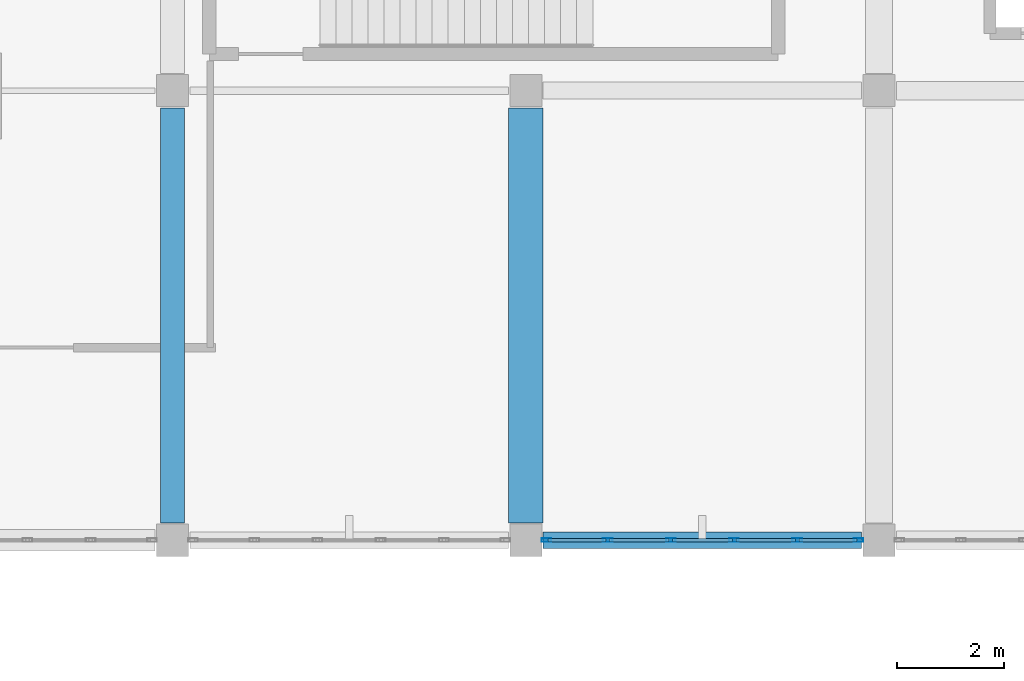
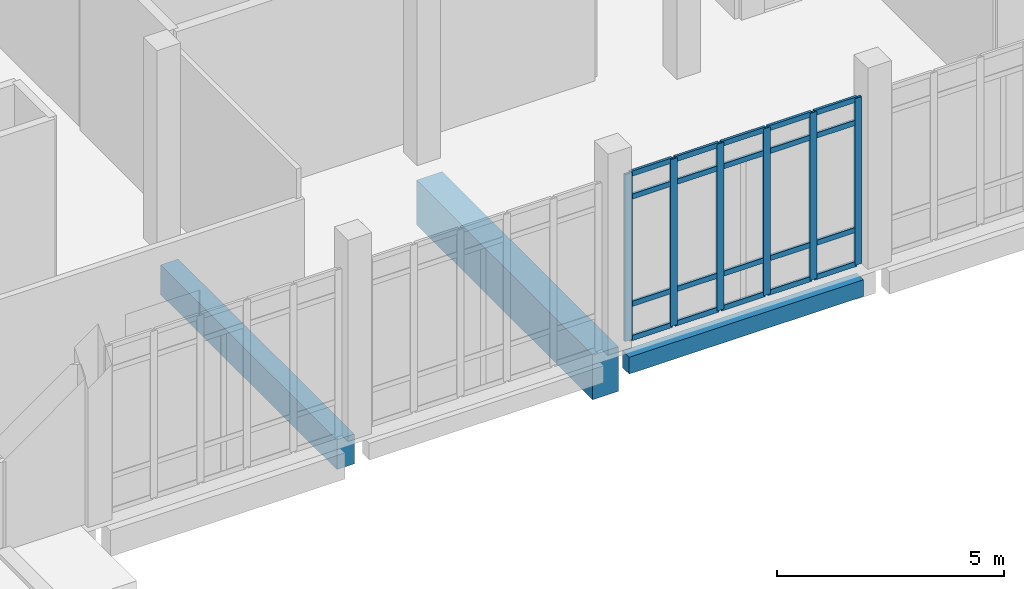
# One storey, part 64 of 110: 26 members, 3 beams, 1 element without a shape of its own.
"""IFC4 building model written with IfcOpenShell, lengths in metres."""

from ifc_helpers import new_model, si_unit, direction, frame, origin, origin_2d, place, context, subcontext, project, spatial, rectangle, hollow_rectangle, extrude, material, material_profile, profile_set, type_object, element, aggregate, save


model = new_model("IFC4")

# Units and contexts
model_context = context("Model", 3, precision=1e-05, world=origin(), true_north=direction((0.0, 1.0)))
body_context = subcontext(model_context, "Body", "Model", "MODEL_VIEW")
ifc_project = project(units=[si_unit("LENGTHUNIT", "METRE"), si_unit("AREAUNIT", "SQUARE_METRE"), si_unit("VOLUMEUNIT", "CUBIC_METRE"), si_unit("PLANEANGLEUNIT", "RADIAN"), si_unit("MASSUNIT", "GRAM", prefix="KILO")], contexts=[model_context])

# Site, building, storey
site_placement = place(None, origin())
site = spatial("IfcSite", under=ifc_project, at=site_placement, CompositionType="ELEMENT")
building_placement = place(site_placement, origin())
building = spatial("IfcBuilding", under=site, at=building_placement, Name="Kalluvel Institute of Natural Sciences", CompositionType="ELEMENT")
storey_placement = place(building_placement, origin())
storey = spatial("IfcBuildingStorey", under=building, at=storey_placement, Name="L00", CompositionType="ELEMENT", Elevation=0.0)

# Beams
ifc_material_1 = material(Name="Concrete M40", Category="concrete")
ifc_material_profile_1 = material_profile(ifc_material_1, rectangle(XDim=0.449951171875, YDim=0.800048828125, at=origin_2d()), Name="RCB 450x800")
ifc_profile_set_1 = profile_set([ifc_material_profile_1], Name="Concrete M40")
beam_type_1 = type_object("IfcBeamType", Name="BM-RC450x800", PredefinedType="BEAM", material=ifc_profile_set_1)
beam_1_placement = place(storey_placement, frame((149.0, 103.125, -0.760009765625), z_axis=(0.0, 1.0, 0.0), x_axis=(-1.0, 0.0, 0.0)))
element("IfcBeam", 1, at=beam_1_placement, inside=storey, type_object=beam_type_1, Name="L00 girder GIR-L00-NS-X1490-Y1028", PredefinedType="BEAM", context=body_context, shape_type="SweptSolid", body=[
    extrude(rectangle(XDim=0.449951171875, YDim=0.800048828125, at=origin_2d()), origin(), (0.0, 0.0, 1.0), 7.75),
])
ifc_material_2 = material(Name="Concrete M50", Category="concrete")
ifc_material_profile_2 = material_profile(ifc_material_2, rectangle(XDim=0.64990234375, YDim=1.199951171875, at=origin_2d()), Name="RCB 650x1200")
ifc_profile_set_2 = profile_set([ifc_material_profile_2], Name="Concrete M50")
beam_type_2 = type_object("IfcBeamType", Name="BM-RC650x1200", PredefinedType="BEAM", material=ifc_profile_set_2)
beam_2_placement = place(storey_placement, frame((155.60009765625, 103.125, -0.9599609375), z_axis=(0.0, 1.0, 0.0), x_axis=(-1.0, 0.0, 0.0)))
element("IfcBeam", 2, at=beam_2_placement, inside=storey, type_object=beam_type_2, Name="L00 girder GIR-L00-NS-X1556-Y1028", PredefinedType="BEAM", context=body_context, shape_type="SweptSolid", body=[
    extrude(rectangle(XDim=0.64990234375, YDim=1.199951171875, at=origin_2d()), origin(), (0.0, 0.0, 1.0), 7.75),
])

# Curtain wall, members
ifc_material_3 = material(Name="Aluminium AW-6063 T6", Category="aluminium")
curtain_wall_type = type_object("IfcCurtainWallType", Name="CW-CLN-54", PredefinedType="USERDEFINED", material=ifc_material_3)
curtain_wall_placement = place(storey_placement, origin())
curtain_wall = element("IfcCurtainWall", 3, at=curtain_wall_placement, inside=storey, type_object=curtain_wall_type, Name="L00 Gothic lancet curtain wall CWA-L00-X1560-Y1028", ObjectType="UNITISED LANCET FACADE", PredefinedType="USERDEFINED")
ifc_material_profile_3 = material_profile(ifc_material_3, hollow_rectangle(XDim=0.06494140625, YDim=0.179931640625, WallThickness=0.00439453125, at=origin_2d()), Name="CWM 65x180")
ifc_profile_set_3 = profile_set([ifc_material_profile_3], Name="Aluminium AW-6063 T6")
member_type_1 = type_object("IfcMemberType", Name="CWM-65x180", PredefinedType="MULLION", material=ifc_profile_set_3)
member_1_placement = place(storey_placement, frame((155.982421875, 102.800048828125, 0.0), z_axis=(0.0, 0.0, 1.0), x_axis=(0.0, 1.0, 0.0)))
member_1 = element("IfcMember", 4, at=member_1_placement, type_object=member_type_1, Name="CW-09 mullion 1", PredefinedType="MULLION", context=body_context, shape_type="SweptSolid", body=[
    extrude(hollow_rectangle(XDim=0.06494140625, YDim=0.179931640625, WallThickness=0.00439453125, at=origin_2d()), origin(), (0.0, 0.0, 1.0), 4.47998046875),
])
member_2_placement = place(storey_placement, frame((157.1298828125, 102.800048828125, 0.0), z_axis=(0.0, 0.0, 1.0), x_axis=(0.0, 1.0, 0.0)))
member_2 = element("IfcMember", 5, at=member_2_placement, type_object=member_type_1, Name="CW-09 mullion 2", PredefinedType="MULLION", context=body_context, shape_type="SweptSolid", body=[
    extrude(hollow_rectangle(XDim=0.06494140625, YDim=0.179931640625, WallThickness=0.00439453125, at=origin_2d()), origin(), (0.0, 0.0, 1.0), 4.47998046875),
])
member_3_placement = place(storey_placement, frame((158.31005859375, 102.800048828125, 0.0), z_axis=(0.0, 0.0, 1.0), x_axis=(0.0, 1.0, 0.0)))
member_3 = element("IfcMember", 6, at=member_3_placement, type_object=member_type_1, Name="CW-09 mullion 3", PredefinedType="MULLION", context=body_context, shape_type="SweptSolid", body=[
    extrude(hollow_rectangle(XDim=0.06494140625, YDim=0.179931640625, WallThickness=0.00439453125, at=origin_2d()), origin(), (0.0, 0.0, 1.0), 4.47998046875),
])
member_4_placement = place(storey_placement, frame((159.489990234375, 102.800048828125, 0.0), z_axis=(0.0, 0.0, 1.0), x_axis=(0.0, 1.0, 0.0)))
member_4 = element("IfcMember", 7, at=member_4_placement, type_object=member_type_1, Name="CW-09 mullion 4", PredefinedType="MULLION", context=body_context, shape_type="SweptSolid", body=[
    extrude(hollow_rectangle(XDim=0.06494140625, YDim=0.179931640625, WallThickness=0.00439453125, at=origin_2d()), origin(), (0.0, 0.0, 1.0), 4.47998046875),
])
member_5_placement = place(storey_placement, frame((160.669921875, 102.800048828125, 0.0), z_axis=(0.0, 0.0, 1.0), x_axis=(0.0, 1.0, 0.0)))
member_5 = element("IfcMember", 8, at=member_5_placement, type_object=member_type_1, Name="CW-09 mullion 5", PredefinedType="MULLION", context=body_context, shape_type="SweptSolid", body=[
    extrude(hollow_rectangle(XDim=0.06494140625, YDim=0.179931640625, WallThickness=0.00439453125, at=origin_2d()), origin(), (0.0, 0.0, 1.0), 4.47998046875),
])
member_6_placement = place(storey_placement, frame((161.8173828125, 102.800048828125, 0.0), z_axis=(0.0, 0.0, 1.0), x_axis=(0.0, 1.0, 0.0)))
member_6 = element("IfcMember", 9, at=member_6_placement, type_object=member_type_1, Name="CW-09 mullion 6", PredefinedType="MULLION", context=body_context, shape_type="SweptSolid", body=[
    extrude(hollow_rectangle(XDim=0.06494140625, YDim=0.179931640625, WallThickness=0.00439453125, at=origin_2d()), origin(), (0.0, 0.0, 1.0), 4.47998046875),
])
ifc_material_profile_4 = material_profile(ifc_material_3, hollow_rectangle(XDim=0.06494140625, YDim=0.139892578125, WallThickness=0.00439453125, at=origin_2d()), Name="CWT 65x140")
ifc_profile_set_4 = profile_set([ifc_material_profile_4], Name="Aluminium AW-6063 T6")
member_type_2 = type_object("IfcMemberType", Name="CWT-65x140", PredefinedType="USERDEFINED", material=ifc_profile_set_4)
member_7_placement = place(storey_placement, frame((156.014892578125, 102.800048828125, 0.032470703125), z_axis=(1.0, 0.0, 0.0), x_axis=(0.0, 1.0, 0.0)))
member_7 = element("IfcMember", 10, at=member_7_placement, type_object=member_type_2, Name="CW-09 transom 1.1", ObjectType="TRANSOM", PredefinedType="USERDEFINED", context=body_context, shape_type="SweptSolid", body=[
    extrude(hollow_rectangle(XDim=0.06494140625, YDim=0.139892578125, WallThickness=0.00439453125, at=origin_2d()), origin(), (0.0, 0.0, 1.0), 1.08251953125),
])
member_8_placement = place(storey_placement, frame((156.014892578125, 102.800048828125, 0.949951171875), z_axis=(1.0, 0.0, 0.0), x_axis=(0.0, 1.0, 0.0)))
member_8 = element("IfcMember", 11, at=member_8_placement, type_object=member_type_2, Name="CW-09 transom 1.2", ObjectType="TRANSOM", PredefinedType="USERDEFINED", context=body_context, shape_type="SweptSolid", body=[
    extrude(hollow_rectangle(XDim=0.06494140625, YDim=0.139892578125, WallThickness=0.00439453125, at=origin_2d()), origin(), (0.0, 0.0, 1.0), 1.08251953125),
])
member_9_placement = place(storey_placement, frame((156.014892578125, 102.800048828125, 3.830078125), z_axis=(1.0, 0.0, 0.0), x_axis=(0.0, 1.0, 0.0)))
member_9 = element("IfcMember", 12, at=member_9_placement, type_object=member_type_2, Name="CW-09 transom 1.3", ObjectType="TRANSOM", PredefinedType="USERDEFINED", context=body_context, shape_type="SweptSolid", body=[
    extrude(hollow_rectangle(XDim=0.06494140625, YDim=0.139892578125, WallThickness=0.00439453125, at=origin_2d()), origin(), (0.0, 0.0, 1.0), 1.08251953125),
])
member_10_placement = place(storey_placement, frame((156.014892578125, 102.800048828125, 4.447509765625), z_axis=(1.0, 0.0, 0.0), x_axis=(0.0, 1.0, 0.0)))
member_10 = element("IfcMember", 13, at=member_10_placement, type_object=member_type_2, Name="CW-09 transom 1.4", ObjectType="TRANSOM", PredefinedType="USERDEFINED", context=body_context, shape_type="SweptSolid", body=[
    extrude(hollow_rectangle(XDim=0.06494140625, YDim=0.139892578125, WallThickness=0.00439453125, at=origin_2d()), origin(), (0.0, 0.0, 1.0), 1.08251953125),
])
member_11_placement = place(storey_placement, frame((157.16259765625, 102.800048828125, 0.032470703125), z_axis=(1.0, 0.0, 0.0), x_axis=(0.0, 1.0, 0.0)))
member_11 = element("IfcMember", 14, at=member_11_placement, type_object=member_type_2, Name="CW-09 transom 2.1", ObjectType="TRANSOM", PredefinedType="USERDEFINED", context=body_context, shape_type="SweptSolid", body=[
    extrude(hollow_rectangle(XDim=0.06494140625, YDim=0.139892578125, WallThickness=0.00439453125, at=origin_2d()), origin(), (0.0, 0.0, 1.0), 1.114990234375),
])
member_12_placement = place(storey_placement, frame((157.16259765625, 102.800048828125, 0.949951171875), z_axis=(1.0, 0.0, 0.0), x_axis=(0.0, 1.0, 0.0)))
member_12 = element("IfcMember", 15, at=member_12_placement, type_object=member_type_2, Name="CW-09 transom 2.2", ObjectType="TRANSOM", PredefinedType="USERDEFINED", context=body_context, shape_type="SweptSolid", body=[
    extrude(hollow_rectangle(XDim=0.06494140625, YDim=0.139892578125, WallThickness=0.00439453125, at=origin_2d()), origin(), (0.0, 0.0, 1.0), 1.114990234375),
])
member_13_placement = place(storey_placement, frame((157.16259765625, 102.800048828125, 3.830078125), z_axis=(1.0, 0.0, 0.0), x_axis=(0.0, 1.0, 0.0)))
member_13 = element("IfcMember", 16, at=member_13_placement, type_object=member_type_2, Name="CW-09 transom 2.3", ObjectType="TRANSOM", PredefinedType="USERDEFINED", context=body_context, shape_type="SweptSolid", body=[
    extrude(hollow_rectangle(XDim=0.06494140625, YDim=0.139892578125, WallThickness=0.00439453125, at=origin_2d()), origin(), (0.0, 0.0, 1.0), 1.114990234375),
])
member_14_placement = place(storey_placement, frame((157.16259765625, 102.800048828125, 4.447509765625), z_axis=(1.0, 0.0, 0.0), x_axis=(0.0, 1.0, 0.0)))
member_14 = element("IfcMember", 17, at=member_14_placement, type_object=member_type_2, Name="CW-09 transom 2.4", ObjectType="TRANSOM", PredefinedType="USERDEFINED", context=body_context, shape_type="SweptSolid", body=[
    extrude(hollow_rectangle(XDim=0.06494140625, YDim=0.139892578125, WallThickness=0.00439453125, at=origin_2d()), origin(), (0.0, 0.0, 1.0), 1.114990234375),
])
member_15_placement = place(storey_placement, frame((158.342529296875, 102.800048828125, 0.032470703125), z_axis=(1.0, 0.0, 0.0), x_axis=(0.0, 1.0, 0.0)))
member_15 = element("IfcMember", 18, at=member_15_placement, type_object=member_type_2, Name="CW-09 transom 3.1", ObjectType="TRANSOM", PredefinedType="USERDEFINED", context=body_context, shape_type="SweptSolid", body=[
    extrude(hollow_rectangle(XDim=0.06494140625, YDim=0.139892578125, WallThickness=0.00439453125, at=origin_2d()), origin(), (0.0, 0.0, 1.0), 1.114990234375),
])
member_16_placement = place(storey_placement, frame((158.342529296875, 102.800048828125, 0.949951171875), z_axis=(1.0, 0.0, 0.0), x_axis=(0.0, 1.0, 0.0)))
member_16 = element("IfcMember", 19, at=member_16_placement, type_object=member_type_2, Name="CW-09 transom 3.2", ObjectType="TRANSOM", PredefinedType="USERDEFINED", context=body_context, shape_type="SweptSolid", body=[
    extrude(hollow_rectangle(XDim=0.06494140625, YDim=0.139892578125, WallThickness=0.00439453125, at=origin_2d()), origin(), (0.0, 0.0, 1.0), 1.114990234375),
])
member_17_placement = place(storey_placement, frame((158.342529296875, 102.800048828125, 3.830078125), z_axis=(1.0, 0.0, 0.0), x_axis=(0.0, 1.0, 0.0)))
member_17 = element("IfcMember", 20, at=member_17_placement, type_object=member_type_2, Name="CW-09 transom 3.3", ObjectType="TRANSOM", PredefinedType="USERDEFINED", context=body_context, shape_type="SweptSolid", body=[
    extrude(hollow_rectangle(XDim=0.06494140625, YDim=0.139892578125, WallThickness=0.00439453125, at=origin_2d()), origin(), (0.0, 0.0, 1.0), 1.114990234375),
])
member_18_placement = place(storey_placement, frame((158.342529296875, 102.800048828125, 4.447509765625), z_axis=(1.0, 0.0, 0.0), x_axis=(0.0, 1.0, 0.0)))
member_18 = element("IfcMember", 21, at=member_18_placement, type_object=member_type_2, Name="CW-09 transom 3.4", ObjectType="TRANSOM", PredefinedType="USERDEFINED", context=body_context, shape_type="SweptSolid", body=[
    extrude(hollow_rectangle(XDim=0.06494140625, YDim=0.139892578125, WallThickness=0.00439453125, at=origin_2d()), origin(), (0.0, 0.0, 1.0), 1.114990234375),
])
member_19_placement = place(storey_placement, frame((159.5224609375, 102.800048828125, 0.032470703125), z_axis=(1.0, 0.0, 0.0), x_axis=(0.0, 1.0, 0.0)))
member_19 = element("IfcMember", 22, at=member_19_placement, type_object=member_type_2, Name="CW-09 transom 4.1", ObjectType="TRANSOM", PredefinedType="USERDEFINED", context=body_context, shape_type="SweptSolid", body=[
    extrude(hollow_rectangle(XDim=0.06494140625, YDim=0.139892578125, WallThickness=0.00439453125, at=origin_2d()), origin(), (0.0, 0.0, 1.0), 1.114990234375),
])
member_20_placement = place(storey_placement, frame((159.5224609375, 102.800048828125, 0.949951171875), z_axis=(1.0, 0.0, 0.0), x_axis=(0.0, 1.0, 0.0)))
member_20 = element("IfcMember", 23, at=member_20_placement, type_object=member_type_2, Name="CW-09 transom 4.2", ObjectType="TRANSOM", PredefinedType="USERDEFINED", context=body_context, shape_type="SweptSolid", body=[
    extrude(hollow_rectangle(XDim=0.06494140625, YDim=0.139892578125, WallThickness=0.00439453125, at=origin_2d()), origin(), (0.0, 0.0, 1.0), 1.114990234375),
])
member_21_placement = place(storey_placement, frame((159.5224609375, 102.800048828125, 3.830078125), z_axis=(1.0, 0.0, 0.0), x_axis=(0.0, 1.0, 0.0)))
member_21 = element("IfcMember", 24, at=member_21_placement, type_object=member_type_2, Name="CW-09 transom 4.3", ObjectType="TRANSOM", PredefinedType="USERDEFINED", context=body_context, shape_type="SweptSolid", body=[
    extrude(hollow_rectangle(XDim=0.06494140625, YDim=0.139892578125, WallThickness=0.00439453125, at=origin_2d()), origin(), (0.0, 0.0, 1.0), 1.114990234375),
])
member_22_placement = place(storey_placement, frame((159.5224609375, 102.800048828125, 4.447509765625), z_axis=(1.0, 0.0, 0.0), x_axis=(0.0, 1.0, 0.0)))
member_22 = element("IfcMember", 25, at=member_22_placement, type_object=member_type_2, Name="CW-09 transom 4.4", ObjectType="TRANSOM", PredefinedType="USERDEFINED", context=body_context, shape_type="SweptSolid", body=[
    extrude(hollow_rectangle(XDim=0.06494140625, YDim=0.139892578125, WallThickness=0.00439453125, at=origin_2d()), origin(), (0.0, 0.0, 1.0), 1.114990234375),
])
member_23_placement = place(storey_placement, frame((160.702392578125, 102.800048828125, 0.032470703125), z_axis=(1.0, 0.0, 0.0), x_axis=(0.0, 1.0, 0.0)))
member_23 = element("IfcMember", 26, at=member_23_placement, type_object=member_type_2, Name="CW-09 transom 5.1", ObjectType="TRANSOM", PredefinedType="USERDEFINED", context=body_context, shape_type="SweptSolid", body=[
    extrude(hollow_rectangle(XDim=0.06494140625, YDim=0.139892578125, WallThickness=0.00439453125, at=origin_2d()), origin(), (0.0, 0.0, 1.0), 1.08251953125),
])
member_24_placement = place(storey_placement, frame((160.702392578125, 102.800048828125, 0.949951171875), z_axis=(1.0, 0.0, 0.0), x_axis=(0.0, 1.0, 0.0)))
member_24 = element("IfcMember", 27, at=member_24_placement, type_object=member_type_2, Name="CW-09 transom 5.2", ObjectType="TRANSOM", PredefinedType="USERDEFINED", context=body_context, shape_type="SweptSolid", body=[
    extrude(hollow_rectangle(XDim=0.06494140625, YDim=0.139892578125, WallThickness=0.00439453125, at=origin_2d()), origin(), (0.0, 0.0, 1.0), 1.08251953125),
])
member_25_placement = place(storey_placement, frame((160.702392578125, 102.800048828125, 3.830078125), z_axis=(1.0, 0.0, 0.0), x_axis=(0.0, 1.0, 0.0)))
member_25 = element("IfcMember", 28, at=member_25_placement, type_object=member_type_2, Name="CW-09 transom 5.3", ObjectType="TRANSOM", PredefinedType="USERDEFINED", context=body_context, shape_type="SweptSolid", body=[
    extrude(hollow_rectangle(XDim=0.06494140625, YDim=0.139892578125, WallThickness=0.00439453125, at=origin_2d()), origin(), (0.0, 0.0, 1.0), 1.08251953125),
])
member_26_placement = place(storey_placement, frame((160.702392578125, 102.800048828125, 4.447509765625), z_axis=(1.0, 0.0, 0.0), x_axis=(0.0, 1.0, 0.0)))
member_26 = element("IfcMember", 29, at=member_26_placement, type_object=member_type_2, Name="CW-09 transom 5.4", ObjectType="TRANSOM", PredefinedType="USERDEFINED", context=body_context, shape_type="SweptSolid", body=[
    extrude(hollow_rectangle(XDim=0.06494140625, YDim=0.139892578125, WallThickness=0.00439453125, at=origin_2d()), origin(), (0.0, 0.0, 1.0), 1.08251953125),
])
aggregate(curtain_wall, [member_1, member_2, member_3, member_4, member_5, member_6, member_7, member_8, member_9, member_10, member_11, member_12, member_13, member_14, member_15, member_16, member_17, member_18, member_19, member_20, member_21, member_22, member_23, member_24, member_25, member_26])

# Beam
ifc_material_profile_5 = material_profile(ifc_material_1, rectangle(XDim=0.300048828125, YDim=0.449951171875, at=origin_2d()), Name="RCB 300x450")
ifc_profile_set_5 = profile_set([ifc_material_profile_5], Name="Concrete M40")
beam_type_3 = type_object("IfcBeamType", Name="SP-RC300x450", PredefinedType="SPANDREL", material=ifc_profile_set_5)
beam_3_placement = place(storey_placement, frame((155.925048828125, 102.800048828125, -0.5849609375), z_axis=(1.0, 0.0, 0.0), x_axis=(0.0, 1.0, 0.0)))
element("IfcBeam", 30, at=beam_3_placement, inside=storey, type_object=beam_type_3, Name="L00 girder GIR-L00-EW-X1556-Y1028", PredefinedType="SPANDREL", context=body_context, shape_type="SweptSolid", body=[
    extrude(rectangle(XDim=0.300048828125, YDim=0.449951171875, at=origin_2d()), origin(), (0.0, 0.0, 1.0), 5.949951171875),
])

save(model, "model.ifc")
